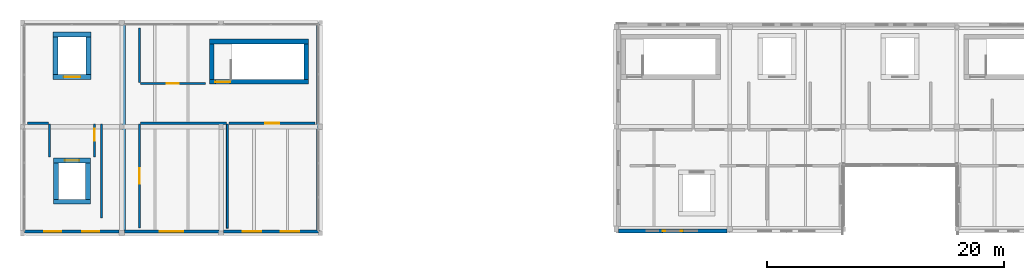
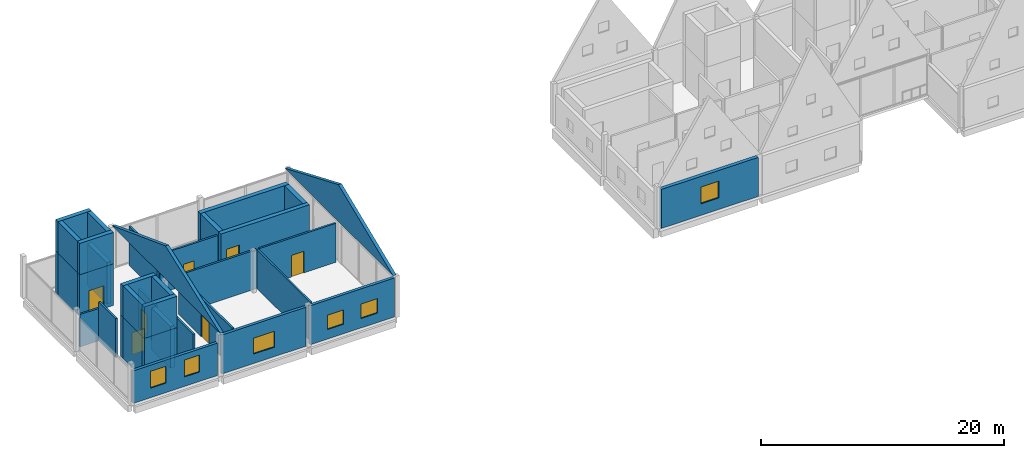
# One storey, part 7 of 13: 36 walls, 7 doors, 6 windows, 13 openings.
"""IFC4 building model written with IfcOpenShell, lengths in metres."""

from ifc_helpers import new_model, si_unit, direction, frame, frame_2d, origin, place, context, subcontext, project, spatial, polyline, rectangle, outline, extrude, material, layer, layer_set, type_object, element, fill, save


model = new_model("IFC4")

# Units and contexts
model_context = context("Model", 3, precision=1e-05, world=origin(), true_north=direction((0.0, 1.0)))
body_context = subcontext(model_context, "Body", "Model", "MODEL_VIEW")
ifc_project = project(units=[si_unit("LENGTHUNIT", "METRE"), si_unit("AREAUNIT", "SQUARE_METRE"), si_unit("VOLUMEUNIT", "CUBIC_METRE"), si_unit("PLANEANGLEUNIT", "RADIAN"), si_unit("MASSUNIT", "GRAM", prefix="KILO")], contexts=[model_context])

# Site, building, storey
site_placement = place(None, origin())
site = spatial("IfcSite", under=ifc_project, at=site_placement, CompositionType="ELEMENT")
building_placement = place(site_placement, origin())
building = spatial("IfcBuilding", under=site, at=building_placement, Name="Birchvale Park Specialist Clinic", CompositionType="ELEMENT")
storey_placement = place(building_placement, frame((0.0, 0.0, 22.199951171875)))
storey = spatial("IfcBuildingStorey", under=building, at=storey_placement, Name="L05", CompositionType="ELEMENT", Elevation=22.199951171875)

# Wall, opening, door
ifc_material_1 = material(Name="Concrete C40/50", Category="concrete")
ifc_layer_1 = layer(ifc_material_1, 0.39990234375)
ifc_layer_set_1 = layer_set([ifc_layer_1], Name="Concrete C40/50")
wall_type_1 = type_object("IfcWallType", Name="WL-CW-120", PredefinedType="SHEAR", material=ifc_layer_set_1)
wall_1_placement = place(storey_placement, frame((27.0, 29.60009765625, 0.0), z_axis=(0.0, 0.0, 1.0), x_axis=(1.0, 0.0, 0.0)))
wall_1 = element("IfcWall", 1, at=wall_1_placement, inside=storey, type_object=wall_type_1, Name="L05 stair ST2 EI 120 enclosure wall (south)", PredefinedType="SHEAR", context=body_context, shape_type="SweptSolid", body=[
    extrude(rectangle(XDim=8.39990234375, YDim=0.39990234375, at=frame_2d((4.199951171875, 0.0))), origin(), (0.0, 0.0, 1.0), 3.920166015625),
])
opening_1_placement = place(wall_1_placement, frame((0.52001953125, 0.0, 0.0)))
opening_1 = element("IfcOpeningElement", 2, at=opening_1_placement, cuts=wall_1, Name="Opening ID-FD60", PredefinedType="OPENING", context=body_context, shape_type="SweptSolid", body=[
    extrude(rectangle(XDim=1.25, YDim=2.199951171875, at=frame_2d((0.625, 1.10009765625))), frame((0.0, 0.2099609375, 0.0), z_axis=(0.0, -1.0, 0.0), x_axis=(1.0, 0.0, 0.0)), (0.0, 0.0, 1.0), 0.419921875),
])
ifc_material_2 = material(Name="Solid-core birch veneer and anodised aluminium", Category="aluminium")
door_type_1 = type_object("IfcDoorType", Name="DR-ID-FD60", OperationType="NOTDEFINED", PredefinedType="DOOR", material=ifc_material_2)
door_1_placement = place(opening_1_placement, origin())
door_1 = element("IfcDoor", 3, at=door_1_placement, inside=storey, type_object=door_type_1, Name="L05 stair ST2 fire door", OperationType="SINGLE_SWING_LEFT", OverallHeight=2.199951171875, OverallWidth=1.25, PredefinedType="DOOR", context=body_context, shape_type="SweptSolid", body=[
    extrude(rectangle(XDim=1.25, YDim=2.199951171875, at=frame_2d((0.625, 1.10009765625))), frame((0.0, 0.02490234375, 0.0), z_axis=(0.0, -1.0, 0.0), x_axis=(1.0, 0.0, 0.0)), (0.0, 0.0, 1.0), 0.050048828125),
])
fill(opening_1, door_1)

# Walls
wall_2_placement = place(storey_placement, frame((35.39990234375, 33.0, 0.0), z_axis=(0.0, 0.0, 1.0), x_axis=(-1.0, 0.0, 0.0)))
element("IfcWall", 4, at=wall_2_placement, inside=storey, type_object=wall_type_1, Name="L05 stair ST2 EI 120 enclosure wall (north)", PredefinedType="SHEAR", context=body_context, shape_type="SweptSolid", body=[
    extrude(rectangle(XDim=8.39990234375, YDim=0.39990234375, at=frame_2d((4.199951171875, 0.0))), origin(), (0.0, 0.0, 1.0), 3.920166015625),
])
for number, where, z_axis, x_axis, name in (
    (5, (27.199951171875, 29.800048828125, 0.0), (0.0, 0.0, 1.0), (0.0, 1.0, 0.0), "L05 stair ST2 EI 120 enclosure wall (west)"),
    (6, (35.199951171875, 32.800048828125, 0.0), (0.0, 0.0, 1.0), (0.0, -1.0, 0.0), "L05 stair ST2 EI 120 enclosure wall (east)"),
):
    element("IfcWall", number, at=place(storey_placement, frame(where, z_axis=z_axis, x_axis=x_axis)), inside=storey, type_object=wall_type_1, Name=name, PredefinedType="SHEAR", context=body_context, shape_type="SweptSolid", body=[
        extrude(rectangle(XDim=3.0, YDim=0.39990234375, at=frame_2d((1.5, 0.0))), origin(), (0.0, 0.0, 1.0), 3.920166015625),
    ])
wall_3_placement = place(storey_placement, frame((13.85009765625, 19.449951171875, 0.0), z_axis=(0.0, 0.0, 1.0), x_axis=(1.0, 0.0, 0.0)))
element("IfcWall", 7, at=wall_3_placement, inside=storey, type_object=wall_type_1, Name="L05 lift LP3 shaft wall (south)", PredefinedType="SHEAR", context=body_context, shape_type="SweptSolid", body=[
    extrude(rectangle(XDim=3.099853515625, YDim=0.39990234375, at=frame_2d((1.5498046875, 0.0))), origin(), (0.0, 0.0, 1.0), 4.199951171875),
])

# Wall, opening, door
wall_4_placement = place(storey_placement, frame((16.949951171875, 22.949951171875, 0.0), z_axis=(0.0, 0.0, 1.0), x_axis=(-1.0, 0.0, 0.0)))
wall_4 = element("IfcWall", 8, at=wall_4_placement, inside=storey, type_object=wall_type_1, Name="L05 lift LP3 shaft wall (north)", PredefinedType="SHEAR", context=body_context, shape_type="SweptSolid", body=[
    extrude(rectangle(XDim=3.099853515625, YDim=0.39990234375, at=frame_2d((1.5498046875, 0.0))), origin(), (0.0, 0.0, 1.0), 4.199951171875),
])
opening_2_placement = place(wall_4_placement, frame((0.949951171875, 0.0, 0.0)))
opening_2 = element("IfcOpeningElement", 9, at=opening_2_placement, cuts=wall_4, Name="Opening LD-01", PredefinedType="OPENING", context=body_context, shape_type="SweptSolid", body=[
    extrude(rectangle(XDim=1.199951171875, YDim=2.199951171875, at=frame_2d((0.60009765625, 1.10009765625))), frame((0.0, 0.2099609375, 0.0), z_axis=(0.0, -1.0, 0.0), x_axis=(1.0, 0.0, 0.0)), (0.0, 0.0, 1.0), 0.419921875),
])
door_type_2 = type_object("IfcDoorType", Name="DR-LD-01", OperationType="DOUBLE_DOOR_SLIDING", PredefinedType="DOOR", material=ifc_material_2)
door_2_placement = place(opening_2_placement, origin())
door_2 = element("IfcDoor", 10, at=door_2_placement, inside=storey, type_object=door_type_2, Name="L05 lift LP3 sliding landing door", OperationType="DOUBLE_DOOR_SLIDING", OverallHeight=2.199951171875, OverallWidth=1.199951171875, PredefinedType="DOOR", context=body_context, shape_type="SweptSolid", body=[
    extrude(rectangle(XDim=1.199951171875, YDim=2.199951171875, at=frame_2d((0.60009765625, 1.10009765625))), frame((0.0, 0.02490234375, 0.0), z_axis=(0.0, -1.0, 0.0), x_axis=(1.0, 0.0, 0.0)), (0.0, 0.0, 1.0), 0.050048828125),
])
fill(opening_2, door_2)

# Walls
for number, where, z_axis, x_axis, name in (
    (11, (14.050048828125, 19.64990234375, 0.0), (0.0, 0.0, 1.0), (0.0, 1.0, 0.0), "L05 lift LP3 shaft wall (west)"),
    (12, (16.75, 22.75, 0.0), (0.0, 0.0, 1.0), (0.0, -1.0, 0.0), "L05 lift LP3 shaft wall (east)"),
):
    element("IfcWall", number, at=place(storey_placement, frame(where, z_axis=z_axis, x_axis=x_axis)), inside=storey, type_object=wall_type_1, Name=name, PredefinedType="SHEAR", context=body_context, shape_type="SweptSolid", body=[
        extrude(rectangle(XDim=3.10009765625, YDim=0.39990234375, at=frame_2d((1.550048828125, 0.0))), origin(), (0.0, 0.0, 1.0), 4.199951171875),
    ])
for number, where, z_axis, x_axis, name in (
    (13, (13.85009765625, 19.449951171875, 4.199951171875), (0.0, 0.0, 1.0), (1.0, 0.0, 0.0), "L06 lift LP3 shaft wall (south)"),
    (14, (16.949951171875, 22.949951171875, 4.199951171875), (0.0, 0.0, 1.0), (-1.0, 0.0, 0.0), "L06 lift LP3 shaft wall (north)"),
):
    element("IfcWall", number, at=place(storey_placement, frame(where, z_axis=z_axis, x_axis=x_axis)), inside=storey, type_object=wall_type_1, Name=name, PredefinedType="SHEAR", context=body_context, shape_type="SweptSolid", body=[
        extrude(rectangle(XDim=3.099853515625, YDim=0.39990234375, at=frame_2d((1.5498046875, 0.0))), origin(), (0.0, 0.0, 1.0), 3.150146484375),
    ])
for number, where, z_axis, x_axis, name in (
    (15, (14.050048828125, 19.64990234375, 4.199951171875), (0.0, 0.0, 1.0), (0.0, 1.0, 0.0), "L06 lift LP3 shaft wall (west)"),
    (16, (16.75, 22.75, 4.199951171875), (0.0, 0.0, 1.0), (0.0, -1.0, 0.0), "L06 lift LP3 shaft wall (east)"),
):
    element("IfcWall", number, at=place(storey_placement, frame(where, z_axis=z_axis, x_axis=x_axis)), inside=storey, type_object=wall_type_1, Name=name, PredefinedType="SHEAR", context=body_context, shape_type="SweptSolid", body=[
        extrude(rectangle(XDim=3.10009765625, YDim=0.39990234375, at=frame_2d((1.550048828125, 0.0))), origin(), (0.0, 0.0, 1.0), 3.150146484375),
    ])

# Wall, opening, door
wall_5_placement = place(storey_placement, frame((13.800048828125, 30.0, 0.0), z_axis=(0.0, 0.0, 1.0), x_axis=(1.0, 0.0, 0.0)))
wall_5 = element("IfcWall", 17, at=wall_5_placement, inside=storey, type_object=wall_type_1, Name="L05 lift LS1 shaft wall (south)", PredefinedType="SHEAR", context=body_context, shape_type="SweptSolid", body=[
    extrude(rectangle(XDim=3.199951171875, YDim=0.39990234375, at=frame_2d((1.60009765625, 0.0))), origin(), (0.0, 0.0, 1.0), 4.199951171875),
])
opening_3_placement = place(wall_5_placement, frame((0.89990234375, 0.0, 0.0)))
opening_3 = element("IfcOpeningElement", 18, at=opening_3_placement, cuts=wall_5, Name="Opening LD-03", PredefinedType="OPENING", context=body_context, shape_type="SweptSolid", body=[
    extrude(rectangle(XDim=1.39990234375, YDim=2.300048828125, at=frame_2d((0.699951171875, 1.14990234375))), frame((0.0, 0.2099609375, 0.0), z_axis=(0.0, -1.0, 0.0), x_axis=(1.0, 0.0, 0.0)), (0.0, 0.0, 1.0), 0.419921875),
])
door_type_3 = type_object("IfcDoorType", Name="DR-LD-03", OperationType="DOUBLE_DOOR_SLIDING", PredefinedType="DOOR", material=ifc_material_2)
door_3_placement = place(opening_3_placement, origin())
door_3 = element("IfcDoor", 19, at=door_3_placement, inside=storey, type_object=door_type_3, Name="L05 lift LS1 sliding landing door", OperationType="DOUBLE_DOOR_SLIDING", OverallHeight=2.300048828125, OverallWidth=1.39990234375, PredefinedType="DOOR", context=body_context, shape_type="SweptSolid", body=[
    extrude(rectangle(XDim=1.39990234375, YDim=2.300048828125, at=frame_2d((0.699951171875, 1.14990234375))), frame((0.0, 0.02490234375, 0.0), z_axis=(0.0, -1.0, 0.0), x_axis=(1.0, 0.0, 0.0)), (0.0, 0.0, 1.0), 0.050048828125),
])
fill(opening_3, door_3)

# Walls
for number, where, z_axis, x_axis, name in (
    (20, (17.0, 33.60009765625, 0.0), (0.0, 0.0, 1.0), (-1.0, 0.0, 0.0), "L05 lift LS1 shaft wall (north)"),
    (21, (14.0, 30.199951171875, 0.0), (0.0, 0.0, 1.0), (0.0, 1.0, 0.0), "L05 lift LS1 shaft wall (west)"),
    (22, (16.800048828125, 33.39990234375, 0.0), (0.0, 0.0, 1.0), (0.0, -1.0, 0.0), "L05 lift LS1 shaft wall (east)"),
):
    element("IfcWall", number, at=place(storey_placement, frame(where, z_axis=z_axis, x_axis=x_axis)), inside=storey, type_object=wall_type_1, Name=name, PredefinedType="SHEAR", context=body_context, shape_type="SweptSolid", body=[
        extrude(rectangle(XDim=3.199951171875, YDim=0.39990234375, at=frame_2d((1.60009765625, 0.0))), origin(), (0.0, 0.0, 1.0), 4.199951171875),
    ])
for number, where, z_axis, x_axis, name in (
    (23, (13.800048828125, 30.0, 4.199951171875), (0.0, 0.0, 1.0), (1.0, 0.0, 0.0), "L06 lift LS1 shaft wall (south)"),
    (24, (17.0, 33.60009765625, 4.199951171875), (0.0, 0.0, 1.0), (-1.0, 0.0, 0.0), "L06 lift LS1 shaft wall (north)"),
    (25, (14.0, 30.199951171875, 4.199951171875), (0.0, 0.0, 1.0), (0.0, 1.0, 0.0), "L06 lift LS1 shaft wall (west)"),
    (26, (16.800048828125, 33.39990234375, 4.199951171875), (0.0, 0.0, 1.0), (0.0, -1.0, 0.0), "L06 lift LS1 shaft wall (east)"),
):
    element("IfcWall", number, at=place(storey_placement, frame(where, z_axis=z_axis, x_axis=x_axis)), inside=storey, type_object=wall_type_1, Name=name, PredefinedType="SHEAR", context=body_context, shape_type="SweptSolid", body=[
        extrude(rectangle(XDim=3.199951171875, YDim=0.39990234375, at=frame_2d((1.60009765625, 0.0))), origin(), (0.0, 0.0, 1.0), 3.150146484375),
    ])

# Wall, opening, window
ifc_material_3 = material(Name="Lime-white mineral-rendered insulated masonry", Category="masonry")
ifc_layer_2 = layer(ifc_material_3, 0.340087890625)
ifc_layer_set_2 = layer_set([ifc_layer_2], Name="Lime-white mineral-rendered insulated masonry")
wall_type_2 = type_object("IfcWallType", Name="WL-EW-01", PredefinedType="STANDARD", material=ifc_layer_set_2)
wall_6_placement = place(storey_placement, frame((61.580078125, 16.989990234375, 0.0), z_axis=(0.0, 0.0, 1.0), x_axis=(1.0, 0.0, 0.0)))
wall_6 = element("IfcWall", 27, at=wall_6_placement, inside=storey, type_object=wall_type_2, Name="V4 L05 exterior facade wall 296", PredefinedType="STANDARD", context=body_context, shape_type="SweptSolid", body=[
    extrude(rectangle(XDim=9.2099609375, YDim=0.340087890625, at=frame_2d((4.60498046875, 0.0))), origin(), (0.0, 0.0, 1.0), 3.920166015625),
])
opening_4_placement = place(wall_6_placement, frame((3.7548828125, 0.0, 1.14990234375)))
opening_4 = element("IfcOpeningElement", 28, at=opening_4_placement, cuts=wall_6, Name="Opening W-SQ17", PredefinedType="OPENING", context=body_context, shape_type="SweptSolid", body=[
    extrude(rectangle(XDim=1.699951171875, YDim=1.699951171875, at=frame_2d((0.85009765625, 0.85009765625))), frame((0.0, 0.18017578125, 0.0), z_axis=(0.0, -1.0, 0.0), x_axis=(1.0, 0.0, 0.0)), (0.0, 0.0, 1.0), 0.360107421875),
])
ifc_material_4 = material(Name="Solar-control low-E double glazing", Category="glass")
window_type_1 = type_object("IfcWindowType", Name="WIN-W-SQ17", PartitioningType="SINGLE_PANEL", PredefinedType="WINDOW", material=ifc_material_4)
window_1_placement = place(opening_4_placement, origin())
window_1 = element("IfcWindow", 29, at=window_1_placement, inside=storey, type_object=window_type_1, Name="V4 L05 cased window 154", OverallHeight=1.699951171875, OverallWidth=1.699951171875, PartitioningType="SINGLE_PANEL", PredefinedType="WINDOW", context=body_context, shape_type="SweptSolid", body=[
    extrude(rectangle(XDim=1.699951171875, YDim=1.699951171875, at=frame_2d((0.85009765625, 0.85009765625))), frame((0.0, 0.030029296875, 0.0), z_axis=(0.0, -1.0, 0.0), x_axis=(1.0, 0.0, 0.0)), (0.0, 0.0, 1.0), 0.06005859375),
])
fill(opening_4, window_1)

# Walls
ifc_layer_3 = layer(ifc_material_3, 0.31005859375)
ifc_layer_set_3 = layer_set([ifc_layer_3], Name="Lime-white mineral-rendered insulated masonry")
wall_type_3 = type_object("IfcWallType", Name="WL-EW-02", PredefinedType="STANDARD", material=ifc_layer_set_3)
wall_7_placement = place(storey_placement, frame((19.780029296875, 16.800048828125, 4.199951171875), z_axis=(0.0, 0.0, 1.0), x_axis=(0.0, 1.0, 0.0)))
element("IfcWall", 30, at=wall_7_placement, inside=storey, type_object=wall_type_3, Name="L05 pitched gable tympanum wall V2-L06-W", PredefinedType="STANDARD", context=body_context, shape_type="SweptSolid", body=[
    extrude(outline(polyline([(0.0, 0.0), (17.800048828125, 0.0), (17.800048828125, 0.0), (9.0, 3.300048828125), (0.0, 0.0), (0.0, 0.0)])), frame((0.0, 0.155029296875, 0.0), z_axis=(0.0, -1.0, 0.0), x_axis=(1.0, 0.0, 0.0)), (0.0, 0.0, 1.0), 0.31005859375),
])
wall_8_placement = place(storey_placement, frame((36.219970703125, 16.800048828125, 4.199951171875), z_axis=(0.0, 0.0, 1.0), x_axis=(0.0, 1.0, 0.0)))
element("IfcWall", 31, at=wall_8_placement, inside=storey, type_object=wall_type_3, Name="L05 pitched gable tympanum wall V2-L06-E", PredefinedType="STANDARD", context=body_context, shape_type="SweptSolid", body=[
    extrude(outline(polyline([(0.0, 0.0), (17.800048828125, 0.0), (17.800048828125, 0.0), (9.0, 3.7001953125), (0.0, 0.0), (0.0, 0.0)])), frame((0.0, 0.155029296875, 0.0), z_axis=(0.0, -1.0, 0.0), x_axis=(1.0, 0.0, 0.0)), (0.0, 0.0, 1.0), 0.31005859375),
])

# Wall, openings, windows
ifc_layer_4 = layer(ifc_material_3, 0.27001953125)
ifc_layer_set_4 = layer_set([ifc_layer_4], Name="Lime-white mineral-rendered insulated masonry")
wall_type_4 = type_object("IfcWallType", Name="WL-EW-04", PredefinedType="STANDARD", material=ifc_layer_set_4)
wall_9_placement = place(storey_placement, frame((11.3701171875, 16.955078125, 0.0), z_axis=(0.0, 0.0, 1.0), x_axis=(1.0, 0.0, 0.0)))
wall_9 = element("IfcWall", 32, at=wall_9_placement, inside=storey, type_object=wall_type_4, Name="V2 L05 exterior facade wall 293", PredefinedType="STANDARD", context=body_context, shape_type="SweptSolid", body=[
    extrude(rectangle(XDim=8.009765625, YDim=0.27001953125, at=frame_2d((4.0048828125, 0.0))), origin(), (0.0, 0.0, 1.0), 3.260009765625),
])
opening_5_placement = place(wall_9_placement, frame((1.677978515625, 0.0, 0.949951171875)))
opening_5 = element("IfcOpeningElement", 33, at=opening_5_placement, cuts=wall_9, Name="Opening W-CL12", PredefinedType="OPENING", context=body_context, shape_type="SweptSolid", body=[
    extrude(rectangle(XDim=1.449951171875, YDim=1.699951171875, at=frame_2d((0.72509765625, 0.85009765625))), frame((0.0, 0.14501953125, 0.0), z_axis=(0.0, -1.0, 0.0), x_axis=(1.0, 0.0, 0.0)), (0.0, 0.0, 1.0), 0.2900390625),
])
opening_6_placement = place(wall_9_placement, frame((4.882080078125, 0.0, 0.949951171875)))
opening_6 = element("IfcOpeningElement", 34, at=opening_6_placement, cuts=wall_9, Name="Opening W-CL12", PredefinedType="OPENING", context=body_context, shape_type="SweptSolid", body=[
    extrude(rectangle(XDim=1.449951171875, YDim=1.699951171875, at=frame_2d((0.72509765625, 0.85009765625))), frame((0.0, 0.14501953125, 0.0), z_axis=(0.0, -1.0, 0.0), x_axis=(1.0, 0.0, 0.0)), (0.0, 0.0, 1.0), 0.2900390625),
])
window_type_2 = type_object("IfcWindowType", Name="WIN-W-CL12", PartitioningType="SINGLE_PANEL", PredefinedType="WINDOW", material=ifc_material_4)
window_2_placement = place(opening_5_placement, origin())
window_2 = element("IfcWindow", 35, at=window_2_placement, inside=storey, type_object=window_type_2, Name="V2 L05 cased window 149", OverallHeight=1.699951171875, OverallWidth=1.449951171875, PartitioningType="SINGLE_PANEL", PredefinedType="WINDOW", context=body_context, shape_type="SweptSolid", body=[
    extrude(rectangle(XDim=1.449951171875, YDim=1.699951171875, at=frame_2d((0.72509765625, 0.85009765625))), frame((0.0, 0.030029296875, 0.0), z_axis=(0.0, -1.0, 0.0), x_axis=(1.0, 0.0, 0.0)), (0.0, 0.0, 1.0), 0.06005859375),
])
fill(opening_5, window_2)
window_3_placement = place(opening_6_placement, origin())
window_3 = element("IfcWindow", 36, at=window_3_placement, inside=storey, type_object=window_type_2, Name="V2 L05 cased window 150", OverallHeight=1.699951171875, OverallWidth=1.449951171875, PartitioningType="SINGLE_PANEL", PredefinedType="WINDOW", context=body_context, shape_type="SweptSolid", body=[
    extrude(rectangle(XDim=1.449951171875, YDim=1.699951171875, at=frame_2d((0.72509765625, 0.85009765625))), frame((0.0, 0.030029296875, 0.0), z_axis=(0.0, -1.0, 0.0), x_axis=(1.0, 0.0, 0.0)), (0.0, 0.0, 1.0), 0.06005859375),
])
fill(opening_6, window_3)

# Wall, opening, window
wall_10_placement = place(storey_placement, frame((19.820068359375, 16.955078125, 0.0), z_axis=(0.0, 0.0, 1.0), x_axis=(1.0, 0.0, 0.0)))
wall_10 = element("IfcWall", 37, at=wall_10_placement, inside=storey, type_object=wall_type_4, Name="V2 L05 exterior facade wall 294", PredefinedType="STANDARD", context=body_context, shape_type="SweptSolid", body=[
    extrude(rectangle(XDim=7.98486328125, YDim=0.27001953125, at=frame_2d((3.992431640625, 0.0))), origin(), (0.0, 0.0, 1.0), 3.920166015625),
])
opening_7_placement = place(wall_10_placement, frame((2.992431640625, 0.0, 0.949951171875)))
opening_7 = element("IfcOpeningElement", 38, at=opening_7_placement, cuts=wall_10, Name="Opening W-CL06", PredefinedType="OPENING", context=body_context, shape_type="SweptSolid", body=[
    extrude(rectangle(XDim=2.0, YDim=1.60009765625, at=frame_2d((1.0, 0.800048828125))), frame((0.0, 0.14501953125, 0.0), z_axis=(0.0, -1.0, 0.0), x_axis=(1.0, 0.0, 0.0)), (0.0, 0.0, 1.0), 0.2900390625),
])
window_type_3 = type_object("IfcWindowType", Name="WIN-W-CL06", PartitioningType="SINGLE_PANEL", PredefinedType="WINDOW", material=ifc_material_4)
window_4_placement = place(opening_7_placement, origin())
window_4 = element("IfcWindow", 39, at=window_4_placement, inside=storey, type_object=window_type_3, Name="V2 L05 cased window 151", OverallHeight=1.60009765625, OverallWidth=2.0, PartitioningType="SINGLE_PANEL", PredefinedType="WINDOW", context=body_context, shape_type="SweptSolid", body=[
    extrude(rectangle(XDim=2.0, YDim=1.60009765625, at=frame_2d((1.0, 0.800048828125))), frame((0.0, 0.030029296875, 0.0), z_axis=(0.0, -1.0, 0.0), x_axis=(1.0, 0.0, 0.0)), (0.0, 0.0, 1.0), 0.06005859375),
])
fill(opening_7, window_4)

# Wall, openings, windows
wall_11_placement = place(storey_placement, frame((28.195068359375, 16.955078125, 0.0), z_axis=(0.0, 0.0, 1.0), x_axis=(1.0, 0.0, 0.0)))
wall_11 = element("IfcWall", 40, at=wall_11_placement, inside=storey, type_object=wall_type_4, Name="V2 L05 exterior facade wall 295", PredefinedType="STANDARD", context=body_context, shape_type="SweptSolid", body=[
    extrude(rectangle(XDim=8.034912109375, YDim=0.27001953125, at=frame_2d((4.017578125, 0.0))), origin(), (0.0, 0.0, 1.0), 3.920166015625),
])
opening_8_placement = place(wall_11_placement, frame((1.635498046875, 0.0, 0.949951171875)))
opening_8 = element("IfcOpeningElement", 41, at=opening_8_placement, cuts=wall_11, Name="Opening W-CL15", PredefinedType="OPENING", context=body_context, shape_type="SweptSolid", body=[
    extrude(rectangle(XDim=1.550048828125, YDim=1.449951171875, at=frame_2d((0.77490234375, 0.72509765625))), frame((0.0, 0.14501953125, 0.0), z_axis=(0.0, -1.0, 0.0), x_axis=(1.0, 0.0, 0.0)), (0.0, 0.0, 1.0), 0.2900390625),
])
opening_9_placement = place(wall_11_placement, frame((4.849609375, 0.0, 0.949951171875)))
opening_9 = element("IfcOpeningElement", 42, at=opening_9_placement, cuts=wall_11, Name="Opening W-CL15", PredefinedType="OPENING", context=body_context, shape_type="SweptSolid", body=[
    extrude(rectangle(XDim=1.550048828125, YDim=1.449951171875, at=frame_2d((0.77490234375, 0.72509765625))), frame((0.0, 0.14501953125, 0.0), z_axis=(0.0, -1.0, 0.0), x_axis=(1.0, 0.0, 0.0)), (0.0, 0.0, 1.0), 0.2900390625),
])
window_type_4 = type_object("IfcWindowType", Name="WIN-W-CL15", PartitioningType="SINGLE_PANEL", PredefinedType="WINDOW", material=ifc_material_4)
window_5_placement = place(opening_8_placement, origin())
window_5 = element("IfcWindow", 43, at=window_5_placement, inside=storey, type_object=window_type_4, Name="V2 L05 cased window 152", OverallHeight=1.449951171875, OverallWidth=1.550048828125, PartitioningType="SINGLE_PANEL", PredefinedType="WINDOW", context=body_context, shape_type="SweptSolid", body=[
    extrude(rectangle(XDim=1.550048828125, YDim=1.449951171875, at=frame_2d((0.77490234375, 0.72509765625))), frame((0.0, 0.030029296875, 0.0), z_axis=(0.0, -1.0, 0.0), x_axis=(1.0, 0.0, 0.0)), (0.0, 0.0, 1.0), 0.06005859375),
])
fill(opening_8, window_5)
window_6_placement = place(opening_9_placement, origin())
window_6 = element("IfcWindow", 44, at=window_6_placement, inside=storey, type_object=window_type_4, Name="V2 L05 cased window 153", OverallHeight=1.449951171875, OverallWidth=1.550048828125, PartitioningType="SINGLE_PANEL", PredefinedType="WINDOW", context=body_context, shape_type="SweptSolid", body=[
    extrude(rectangle(XDim=1.550048828125, YDim=1.449951171875, at=frame_2d((0.77490234375, 0.72509765625))), frame((0.0, 0.030029296875, 0.0), z_axis=(0.0, -1.0, 0.0), x_axis=(1.0, 0.0, 0.0)), (0.0, 0.0, 1.0), 0.06005859375),
])
fill(opening_9, window_6)

# Wall
ifc_material_5 = material(Name="Acoustic gypsum board on metal framing")
ifc_layer_5 = layer(ifc_material_5, 0.1650390625)
ifc_layer_set_5 = layer_set([ifc_layer_5], Name="Acoustic gypsum board on metal framing")
wall_type_5 = type_object("IfcWallType", Name="WL-IW-01", PredefinedType="PARTITIONING", material=ifc_layer_set_5)
wall_12_placement = place(storey_placement, frame((28.530029296875, 26.02001953125, 0.0), z_axis=(0.0, 0.0, 1.0), x_axis=(0.0, -1.0, 0.0)))
element("IfcWall", 45, at=wall_12_placement, inside=storey, type_object=wall_type_5, Name="V2 L05 clinical partition 574", PredefinedType="PARTITIONING", context=body_context, shape_type="SweptSolid", body=[
    extrude(rectangle(XDim=8.780029296875, YDim=0.1650390625, at=frame_2d((4.39013671875, 0.0))), origin(), (0.0, 0.0, 1.0), 3.920166015625),
])

# Wall, opening, door
ifc_layer_6 = layer(ifc_material_5, 0.179931640625)
ifc_layer_set_6 = layer_set([ifc_layer_6], Name="Acoustic gypsum board on metal framing")
wall_type_6 = type_object("IfcWallType", Name="WL-IW-60", PredefinedType="PARTITIONING", material=ifc_layer_set_6)
wall_13_placement = place(storey_placement, frame((17.300048828125, 23.22998046875, 0.0), z_axis=(0.0, 0.0, 1.0), x_axis=(0.0, 1.0, 0.0)))
wall_13 = element("IfcWall", 46, at=wall_13_placement, inside=storey, type_object=wall_type_6, Name="V2 L05 clinical partition 569", PredefinedType="PARTITIONING", context=body_context, shape_type="SweptSolid", body=[
    extrude(rectangle(XDim=2.7900390625, YDim=0.179931640625, at=frame_2d((1.39501953125, 0.0))), origin(), (0.0, 0.0, 1.0), 3.920166015625),
])
opening_10_placement = place(wall_13_placement, frame((1.39501953125, 0.0, 0.0)))
opening_10 = element("IfcOpeningElement", 47, at=opening_10_placement, cuts=wall_13, Name="Opening ID-01", PredefinedType="OPENING", context=body_context, shape_type="SweptSolid", body=[
    extrude(rectangle(XDim=1.0, YDim=2.14990234375, at=frame_2d((0.5, 1.074951171875))), frame((0.0, 0.10009765625, 0.0), z_axis=(0.0, -1.0, 0.0), x_axis=(1.0, 0.0, 0.0)), (0.0, 0.0, 1.0), 0.199951171875),
])
door_type_4 = type_object("IfcDoorType", Name="DR-ID-01", OperationType="NOTDEFINED", PredefinedType="DOOR", material=ifc_material_2)
door_4_placement = place(opening_10_placement, origin())
door_4 = element("IfcDoor", 48, at=door_4_placement, inside=storey, type_object=door_type_4, Name="L05 Quantitative Imaging Research Lab door", OperationType="SINGLE_SWING_RIGHT", OverallHeight=2.14990234375, OverallWidth=1.0, PredefinedType="DOOR", context=body_context, shape_type="SweptSolid", body=[
    extrude(rectangle(XDim=1.0, YDim=2.14990234375, at=frame_2d((0.5, 1.074951171875))), frame((0.0, 0.02490234375, 0.0), z_axis=(0.0, -1.0, 0.0), x_axis=(1.0, 0.0, 0.0)), (0.0, 0.0, 1.0), 0.050048828125),
])
fill(opening_10, door_4)

# Walls
wall_14_placement = place(storey_placement, frame((17.89990234375, 26.02001953125, 0.0), z_axis=(0.0, 0.0, 1.0), x_axis=(0.0, -1.0, 0.0)))
element("IfcWall", 49, at=wall_14_placement, inside=storey, type_object=wall_type_6, Name="V2 L05 clinical partition 570", PredefinedType="PARTITIONING", context=body_context, shape_type="SweptSolid", body=[
    extrude(rectangle(XDim=7.93994140625, YDim=0.179931640625, at=frame_2d((3.969970703125, 0.0))), origin(), (0.0, 0.0, 1.0), 3.920166015625),
])
wall_15_placement = place(storey_placement, frame((11.639892578125, 26.10009765625, 0.0), z_axis=(0.0, 0.0, 1.0), x_axis=(1.0, 0.0, 0.0)))
element("IfcWall", 50, at=wall_15_placement, inside=storey, type_object=wall_type_6, Name="V2 L05 clinical partition 571", PredefinedType="PARTITIONING", context=body_context, shape_type="SweptSolid", body=[
    extrude(rectangle(XDim=1.780029296875, YDim=0.179931640625, at=frame_2d((0.89013671875, 0.0))), origin(), (0.0, 0.0, 1.0), 3.260009765625),
])
wall_16_placement = place(storey_placement, frame((13.5, 26.02001953125, 0.0), z_axis=(0.0, 0.0, 1.0), x_axis=(0.0, -1.0, 0.0)))
element("IfcWall", 51, at=wall_16_placement, inside=storey, type_object=wall_type_6, Name="V2 L05 clinical partition 572", PredefinedType="PARTITIONING", context=body_context, shape_type="SweptSolid", body=[
    extrude(rectangle(XDim=2.7900390625, YDim=0.179931640625, at=frame_2d((1.39501953125, 0.0))), origin(), (0.0, 0.0, 1.0), 3.920166015625),
])
wall_17_placement = place(storey_placement, frame((21.179931640625, 26.10009765625, 0.0), z_axis=(0.0, 0.0, 1.0), x_axis=(1.0, 0.0, 0.0)))
element("IfcWall", 52, at=wall_17_placement, inside=storey, type_object=wall_type_6, Name="V2 L05 clinical partition 573", PredefinedType="PARTITIONING", context=body_context, shape_type="SweptSolid", body=[
    extrude(rectangle(XDim=7.27001953125, YDim=0.179931640625, at=frame_2d((3.635009765625, 0.0))), origin(), (0.0, 0.0, 1.0), 3.920166015625),
])

# Wall, opening, door
wall_18_placement = place(storey_placement, frame((21.10009765625, 17.239990234375, 0.0), z_axis=(0.0, 0.0, 1.0), x_axis=(0.0, 1.0, 0.0)))
wall_18 = element("IfcWall", 53, at=wall_18_placement, inside=storey, type_object=wall_type_6, Name="V2 L05 clinical partition 575", PredefinedType="PARTITIONING", context=body_context, shape_type="SweptSolid", body=[
    extrude(rectangle(XDim=8.780029296875, YDim=0.179931640625, at=frame_2d((4.39013671875, 0.0))), origin(), (0.0, 0.0, 1.0), 3.920166015625),
])
opening_11_placement = place(wall_18_placement, frame((3.72998046875, 0.0, 0.0)))
opening_11 = element("IfcOpeningElement", 54, at=opening_11_placement, cuts=wall_18, Name="Opening ID-12", PredefinedType="OPENING", context=body_context, shape_type="SweptSolid", body=[
    extrude(rectangle(XDim=1.320068359375, YDim=2.219970703125, at=frame_2d((0.66015625, 1.10986328125))), frame((0.0, 0.10009765625, 0.0), z_axis=(0.0, -1.0, 0.0), x_axis=(1.0, 0.0, 0.0)), (0.0, 0.0, 1.0), 0.199951171875),
])
door_type_5 = type_object("IfcDoorType", Name="DR-ID-12", OperationType="NOTDEFINED", PredefinedType="DOOR", material=ifc_material_2)
door_5_placement = place(opening_11_placement, origin())
door_5 = element("IfcDoor", 55, at=door_5_placement, inside=storey, type_object=door_type_5, Name="L05 Radiomics Analysis Studio door", OperationType="SINGLE_SWING_LEFT", OverallHeight=2.219970703125, OverallWidth=1.320068359375, PredefinedType="DOOR", context=body_context, shape_type="SweptSolid", body=[
    extrude(rectangle(XDim=1.320068359375, YDim=2.219970703125, at=frame_2d((0.66015625, 1.10986328125))), frame((0.0, 0.02490234375, 0.0), z_axis=(0.0, -1.0, 0.0), x_axis=(1.0, 0.0, 0.0)), (0.0, 0.0, 1.0), 0.050048828125),
])
fill(opening_11, door_5)

wall_19_placement = place(storey_placement, frame((28.68994140625, 26.10009765625, 0.0), z_axis=(0.0, 0.0, 1.0), x_axis=(1.0, 0.0, 0.0)))
wall_19 = element("IfcWall", 56, at=wall_19_placement, inside=storey, type_object=wall_type_6, Name="V2 L05 clinical partition 576", PredefinedType="PARTITIONING", context=body_context, shape_type="SweptSolid", body=[
    extrude(rectangle(XDim=7.27001953125, YDim=0.179931640625, at=frame_2d((3.635009765625, 0.0))), origin(), (0.0, 0.0, 1.0), 3.920166015625),
])
opening_12_placement = place(wall_19_placement, frame((3.044921875, 0.0, 0.0)))
opening_12 = element("IfcOpeningElement", 57, at=opening_12_placement, cuts=wall_19, Name="Opening ID-ST60", PredefinedType="OPENING", context=body_context, shape_type="SweptSolid", body=[
    extrude(rectangle(XDim=1.179931640625, YDim=2.179931640625, at=frame_2d((0.58984375, 1.08984375))), frame((0.0, 0.10009765625, 0.0), z_axis=(0.0, -1.0, 0.0), x_axis=(1.0, 0.0, 0.0)), (0.0, 0.0, 1.0), 0.199951171875),
])
door_type_6 = type_object("IfcDoorType", Name="DR-ID-ST60", OperationType="NOTDEFINED", PredefinedType="DOOR", material=ifc_material_2)
door_6_placement = place(opening_12_placement, origin())
door_6 = element("IfcDoor", 58, at=door_6_placement, inside=storey, type_object=door_type_6, Name="L05 Diagnostic Consultation Suite door", OperationType="SINGLE_SWING_RIGHT", OverallHeight=2.179931640625, OverallWidth=1.179931640625, PredefinedType="DOOR", context=body_context, shape_type="SweptSolid", body=[
    extrude(rectangle(XDim=1.179931640625, YDim=2.179931640625, at=frame_2d((0.58984375, 1.08984375))), frame((0.0, 0.02490234375, 0.0), z_axis=(0.0, -1.0, 0.0), x_axis=(1.0, 0.0, 0.0)), (0.0, 0.0, 1.0), 0.050048828125),
])
fill(opening_12, door_6)

wall_20_placement = place(storey_placement, frame((26.6650390625, 29.449951171875, 0.0), z_axis=(0.0, 0.0, 1.0), x_axis=(-1.0, 0.0, 0.0)))
wall_20 = element("IfcWall", 59, at=wall_20_placement, inside=storey, type_object=wall_type_6, Name="V2 L05 clinical partition 577", PredefinedType="PARTITIONING", context=body_context, shape_type="SweptSolid", body=[
    extrude(rectangle(XDim=5.485107421875, YDim=0.179931640625, at=frame_2d((2.74267578125, 0.0))), origin(), (0.0, 0.0, 1.0), 3.920166015625),
])
opening_13_placement = place(wall_20_placement, frame((2.242431640625, 0.0, 0.0)))
opening_13 = element("IfcOpeningElement", 60, at=opening_13_placement, cuts=wall_20, Name="Opening ID-01", PredefinedType="OPENING", context=body_context, shape_type="SweptSolid", body=[
    extrude(rectangle(XDim=1.0, YDim=2.14990234375, at=frame_2d((0.5, 1.074951171875))), frame((0.0, 0.10009765625, 0.0), z_axis=(0.0, -1.0, 0.0), x_axis=(1.0, 0.0, 0.0)), (0.0, 0.0, 1.0), 0.199951171875),
])
door_7_placement = place(opening_13_placement, origin())
door_7 = element("IfcDoor", 61, at=door_7_placement, inside=storey, type_object=door_type_4, Name="L05 Medical Physics Office door", OperationType="SINGLE_SWING_LEFT", OverallHeight=2.14990234375, OverallWidth=1.0, PredefinedType="DOOR", context=body_context, shape_type="SweptSolid", body=[
    extrude(rectangle(XDim=1.0, YDim=2.14990234375, at=frame_2d((0.5, 1.074951171875))), frame((0.0, 0.02490234375, 0.0), z_axis=(0.0, -1.0, 0.0), x_axis=(1.0, 0.0, 0.0)), (0.0, 0.0, 1.0), 0.050048828125),
])
fill(opening_13, door_7)

# Wall
wall_21_placement = place(storey_placement, frame((21.10009765625, 29.530029296875, 0.0), z_axis=(0.0, 0.0, 1.0), x_axis=(0.0, 1.0, 0.0)))
element("IfcWall", 62, at=wall_21_placement, inside=storey, type_object=wall_type_6, Name="V2 L05 clinical partition 578", PredefinedType="PARTITIONING", context=body_context, shape_type="SweptSolid", body=[
    extrude(rectangle(XDim=4.6298828125, YDim=0.179931640625, at=frame_2d((2.31494140625, 0.0))), origin(), (0.0, 0.0, 1.0), 3.920166015625),
])

save(model, "model.ifc")
